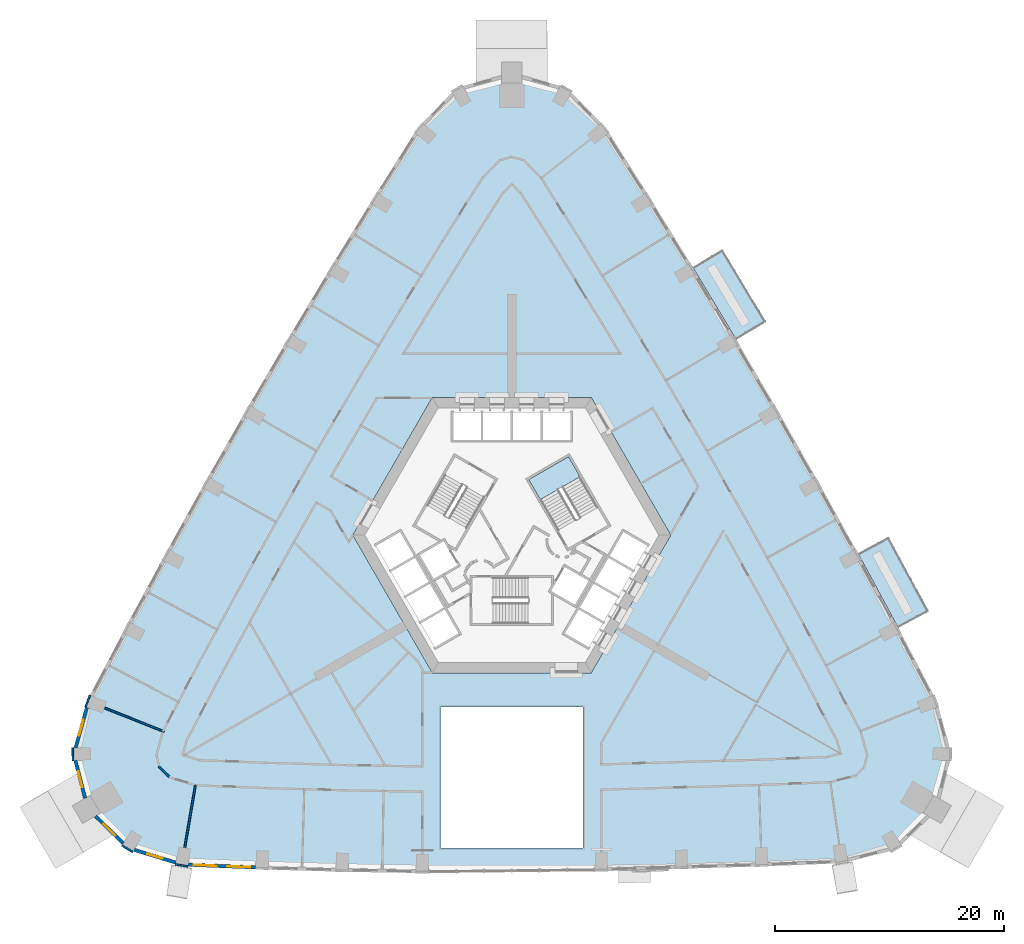
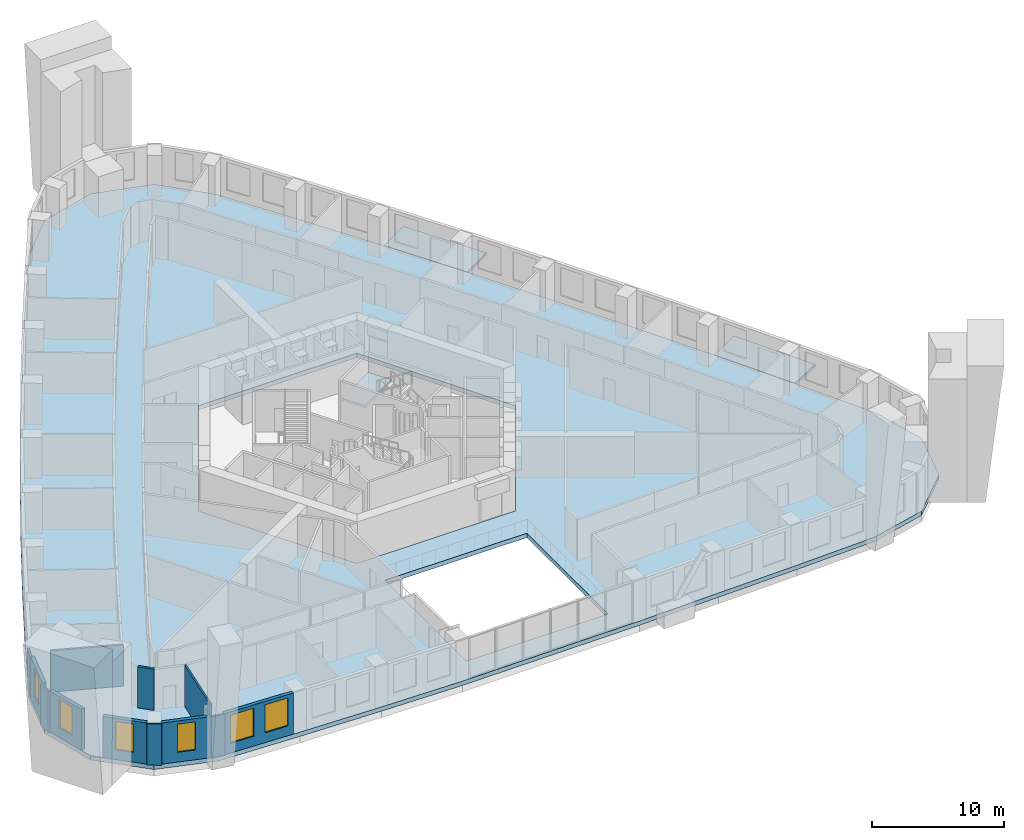
# One storey, part 3 of 15: 12 walls, 6 windows, 4 slabs, 6 openings, 1 element without a shape of its own.
"""IFC4 building model written with IfcOpenShell, lengths in metres."""

from ifc_helpers import new_model, si_unit, direction, frame, frame_2d, origin, place, context, subcontext, project, spatial, polyline, rectangle, outline, extrude, material, layer, layer_set, type_object, element, fill, aggregate, save


model = new_model("IFC4")

# Units and contexts
model_context = context("Model", 3, precision=1e-05, world=origin(), true_north=direction((0.0, 1.0)))
body_context = subcontext(model_context, "Body", "Model", "MODEL_VIEW")
ifc_project = project(units=[si_unit("LENGTHUNIT", "METRE"), si_unit("AREAUNIT", "SQUARE_METRE"), si_unit("VOLUMEUNIT", "CUBIC_METRE"), si_unit("PLANEANGLEUNIT", "RADIAN"), si_unit("MASSUNIT", "GRAM", prefix="KILO")], contexts=[model_context])

# Site, building, storey
site_placement = place(None, origin())
site = spatial("IfcSite", under=ifc_project, at=site_placement, CompositionType="ELEMENT")
building_placement = place(site_placement, origin())
building = spatial("IfcBuilding", under=site, at=building_placement, Name="Entoto Arch Interchange Tower", CompositionType="ELEMENT")
storey_placement = place(building_placement, frame((0.0, 0.0, 99.199951171875)))
storey = spatial("IfcBuildingStorey", under=building, at=storey_placement, Name="L21", CompositionType="ELEMENT", Elevation=99.199951171875)

# Slabs
ifc_material_1 = material(Name="Board-marked precast concrete C50/60", Category="concrete")
ifc_layer_1 = layer(ifc_material_1, 0.25)
ifc_layer_set_1 = layer_set([ifc_layer_1], Name="Board-marked precast concrete C50/60")
slab_type_1 = type_object("IfcSlabType", Name="BALCONY DECK PRECAST 250", PredefinedType="FLOOR", material=ifc_layer_set_1)
slab_1_placement = place(storey_placement, frame((0.0, 0.0, -0.25)))
element("IfcSlab", 1, at=slab_1_placement, inside=storey, type_object=slab_type_1, Name="Planted balcony NE-02 L21", PredefinedType="FLOOR", context=body_context, shape_type="SweptSolid", body=[
    extrude(outline(polyline([(33.653076171875, -5.52099609375), (30.22802734375, 0.81689453125), (32.822998046875, 2.218994140625), (36.248046875, -4.118896484375), (33.653076171875, -5.52099609375)])), origin(), (0.0, 0.0, 1.0), 0.25),
])
slab_2_placement = place(storey_placement, frame((0.0, 0.0, -0.25)))
element("IfcSlab", 2, at=slab_2_placement, inside=storey, type_object=slab_type_1, Name="Planted balcony NE-06 L21", PredefinedType="FLOOR", context=body_context, shape_type="SweptSolid", body=[
    extrude(outline(polyline([(19.529052734375, 19.593017578125), (15.822021484375, 25.77001953125), (18.35107421875, 27.2880859375), (22.05810546875, 21.111083984375), (19.529052734375, 19.593017578125)])), origin(), (0.0, 0.0, 1.0), 0.25),
])

# Stair, slab
ifc_material_2 = material(Name="Concrete C40/50", Category="concrete")
stair_type = type_object("IfcStairType", Name="EXIT STAIR RC 1800", PredefinedType="HALF_TURN_STAIR", material=ifc_material_2)
stair_placement = place(storey_placement, origin())
stair = element("IfcStair", 3, at=stair_placement, inside=storey, type_object=stair_type, Name="L21 Exit stair NE", PredefinedType="HALF_TURN_STAIR")
ifc_layer_2 = layer(ifc_material_2, 0.199951171875)
ifc_layer_set_2 = layer_set([ifc_layer_2], Name="Concrete C40/50")
slab_type_2 = type_object("IfcSlabType", Name="EXIT STAIR LANDING RC 200", PredefinedType="LANDING", material=ifc_layer_set_2)
slab_3_placement = place(storey_placement, frame((0.0, 0.0, 1.900146484375)))
slab_3 = element("IfcSlab", 4, at=slab_3_placement, type_object=slab_type_2, Name="ST-NE landing 1", PredefinedType="LANDING", context=body_context, shape_type="SweptSolid", body=[
    extrude(outline(polyline([(5.953369140625, 7.58837890625), (4.943359375, 9.337890625), (1.479248046875, 7.337890625), (2.4892578125, 5.58837890625), (5.953369140625, 7.58837890625)])), origin(), (0.0, 0.0, 1.0), 0.199951171875),
])
aggregate(stair, [slab_3])

# Slab
ifc_layer_3 = layer(ifc_material_2, 0.39990234375)
ifc_layer_set_3 = layer_set([ifc_layer_3], Name="Concrete C40/50")
slab_type_3 = type_object("IfcSlabType", Name="Post-tensioned flat plate 400 C40/50", PredefinedType="FLOOR", material=ifc_layer_set_3)
slab_4_placement = place(storey_placement, frame((0.0, 0.0, -0.39990234375)))
element("IfcSlab", 5, at=slab_4_placement, inside=storey, type_object=slab_type_3, Name="Floor slab L21", PredefinedType="FLOOR", context=body_context, shape_type="SweptSolid", body=[
    extrude(outline(polyline([(-28.783935546875, -26.364990234375), (-21.7890625, -26.64208984375), (-14.794921875, -26.843017578125), (-7.800048828125, -26.966064453125), (7.800048828125, -26.7939453125), (14.794921875, -26.5791015625), (21.7890625, -26.3779296875), (28.783935546875, -26.10107421875), (33.5458984375, -24.90087890625), (37.089111328125, -21.4140625), (38.337890625, -16.60205078125), (37.031982421875, -11.947998046875), (33.653076171875, -5.52099609375), (30.22802734375, 0.81689453125), (26.73291015625, 7.115966796875), (23.166015625, 13.375), (19.529052734375, 19.593017578125), (15.822021484375, 25.77001953125), (12.0458984375, 31.905029296875), (8.1689453125, 38.044921875), (4.7919921875, 41.501953125), (0.0, 42.826904296875), (-4.7919921875, 41.501953125), (-8.1689453125, 38.044921875), (-12.0458984375, 31.905029296875), (-15.822021484375, 25.77001953125), (-19.529052734375, 19.593017578125), (-23.166015625, 13.375), (-26.73291015625, 7.115966796875), (-30.22802734375, 0.81689453125), (-33.653076171875, -5.52099609375), (-37.031982421875, -11.947998046875), (-38.337890625, -16.60205078125), (-37.089111328125, -21.4140625), (-33.5458984375, -24.90087890625), (-28.783935546875, -26.364990234375)]), holes=[polyline([(6.199951171875, -24.7939453125), (6.199951171875, -12.5), (-6.199951171875, -12.5), (-6.199951171875, -24.7939453125), (6.199951171875, -24.7939453125)]), polyline([(13.85595703125, 2.5), (6.927978515625, 14.5), (-6.927978515625, 14.5), (-13.85595703125, 2.5), (-6.927978515625, -9.5), (6.927978515625, -9.5), (13.85595703125, 2.5)])]), origin(), (0.0, 0.0, 1.0), 0.39990234375),
])

# Walls
ifc_material_3 = material(Name="Gypsum board partition on steel studs", Category="steel")
ifc_layer_4 = layer(ifc_material_3, 0.14990234375)
ifc_layer_set_4 = layer_set([ifc_layer_4], Name="Gypsum board partition on steel studs")
wall_type_1 = type_object("IfcWallType", Name="PARTITION 150", PredefinedType="PARTITIONING", material=ifc_layer_set_4)
wall_1_placement = place(storey_placement, frame((-30.305908203125, -14.625, 0.0), z_axis=(0.0, 0.0, 1.0), x_axis=(-0.929128339298, 0.369757392235, 0.0)))
element("IfcWall", 6, at=wall_1_placement, inside=storey, type_object=wall_type_1, Name="wall:L21:p152", PredefinedType="PARTITIONING", context=body_context, shape_type="SweptSolid", body=[
    extrude(rectangle(XDim=5.56884765625, YDim=0.14990234375, at=frame_2d((2.784423828125, 0.0))), origin(), (0.0, 0.0, 1.0), 3.800048828125),
])
wall_2_placement = place(storey_placement, frame((-27.580078125, -19.306884765625, 0.0), z_axis=(0.0, 0.0, 1.0), x_axis=(-0.168089900424, -0.98577167, 0.0)))
element("IfcWall", 7, at=wall_2_placement, inside=storey, type_object=wall_type_1, Name="wall:L21:p153", PredefinedType="PARTITIONING", context=body_context, shape_type="SweptSolid", body=[
    extrude(rectangle(XDim=5.490234375, YDim=0.14990234375, at=frame_2d((2.7451171875, 0.0))), origin(), (0.0, 0.0, 1.0), 3.800048828125),
])
ifc_layer_5 = layer(ifc_material_3, 0.199951171875)
ifc_layer_set_5 = layer_set([ifc_layer_5], Name="Gypsum board partition on steel studs")
wall_type_2 = type_object("IfcWallType", Name="PARTITION 200", PredefinedType="PARTITIONING", material=ifc_layer_set_5)
wall_3_placement = place(storey_placement, frame((-29.873046875, -18.553955078125, 0.0), z_axis=(0.0, 0.0, 1.0), x_axis=(-0.712546188185, 0.701625206006, 0.0)))
element("IfcWall", 8, at=wall_3_placement, inside=storey, type_object=wall_type_2, Name="wall:L21:p076", PredefinedType="PARTITIONING", context=body_context, shape_type="SweptSolid", body=[
    extrude(rectangle(XDim=1.274169921875, YDim=0.199951171875, at=frame_2d((0.63720703125, 0.0))), origin(), (0.0, 0.0, 1.0), 3.800048828125),
])

# Wall, openings, windows
ifc_material_4 = material(Name="Welded tuff (ignimbrite) cladding, warm buff", Category="masonry")
ifc_layer_6 = layer(ifc_material_4, 0.300048828125)
ifc_layer_set_6 = layer_set([ifc_layer_6], Name="Welded tuff (ignimbrite) cladding, warm buff")
wall_type_3 = type_object("IfcWallType", Name="STONE INFILL WALL 300", PredefinedType="STANDARD", material=ifc_layer_set_6)
wall_4_placement = place(storey_placement, frame((-28.205078125, -26.238037109375, 0.0), z_axis=(0.0, 0.0, 1.0), x_axis=(0.99922113396, -0.039460428885, 0.0)))
wall_4 = element("IfcWall", 9, at=wall_4_placement, inside=storey, type_object=wall_type_3, Name="Facade wall S-01 L21", PredefinedType="STANDARD", context=body_context, shape_type="SweptSolid", body=[
    extrude(rectangle(XDim=5.877685546875, YDim=0.300048828125, at=frame_2d((2.93896484375, 0.0))), origin(), (0.0, 0.0, 1.0), 3.800048828125),
])
opening_1_placement = place(wall_4_placement, frame((0.468994140625, 0.0, 0.89990234375)))
opening_1 = element("IfcOpeningElement", 10, at=opening_1_placement, cuts=wall_4, Name="Opening WO-C", PredefinedType="OPENING", context=body_context, shape_type="SweptSolid", body=[
    extrude(rectangle(XDim=2.0, YDim=2.60009765625, at=frame_2d((1.0, 1.300048828125))), frame((0.0, 0.16015625, 0.0), z_axis=(0.0, -1.0, 0.0), x_axis=(1.0, 0.0, 0.0)), (0.0, 0.0, 1.0), 0.320068359375),
])
opening_2_placement = place(wall_4_placement, frame((3.407958984375, 0.0, 0.89990234375)))
opening_2 = element("IfcOpeningElement", 11, at=opening_2_placement, cuts=wall_4, Name="Opening WO-C", PredefinedType="OPENING", context=body_context, shape_type="SweptSolid", body=[
    extrude(rectangle(XDim=2.0, YDim=2.60009765625, at=frame_2d((1.0, 1.300048828125))), frame((0.0, 0.16015625, 0.0), z_axis=(0.0, -1.0, 0.0), x_axis=(1.0, 0.0, 0.0)), (0.0, 0.0, 1.0), 0.320068359375),
])
ifc_material_5 = material(Name="Clear glass, low-e double glazed", Category="glass")
window_type_1 = type_object("IfcWindowType", Name="WINDOW WO-C 2000x2600", PartitioningType="DOUBLE_PANEL_VERTICAL", PredefinedType="WINDOW", material=ifc_material_5)
window_1_placement = place(opening_1_placement, origin())
window_1 = element("IfcWindow", 12, at=window_1_placement, inside=storey, type_object=window_type_1, Name="Window WO-C S-01 L21", OverallHeight=2.60009765625, OverallWidth=2.0, PartitioningType="SINGLE_PANEL", PredefinedType="WINDOW", context=body_context, shape_type="SweptSolid", body=[
    extrude(rectangle(XDim=2.0, YDim=2.60009765625, at=frame_2d((1.0, 1.300048828125))), frame((0.0, 0.030029296875, 0.0), z_axis=(0.0, -1.0, 0.0), x_axis=(1.0, 0.0, 0.0)), (0.0, 0.0, 1.0), 0.06005859375),
])
fill(opening_1, window_1)
window_2_placement = place(opening_2_placement, origin())
window_2 = element("IfcWindow", 13, at=window_2_placement, inside=storey, type_object=window_type_1, Name="Window WO-C S-01 L21", OverallHeight=2.60009765625, OverallWidth=2.0, PartitioningType="SINGLE_PANEL", PredefinedType="WINDOW", context=body_context, shape_type="SweptSolid", body=[
    extrude(rectangle(XDim=2.0, YDim=2.60009765625, at=frame_2d((1.0, 1.300048828125))), frame((0.0, 0.030029296875, 0.0), z_axis=(0.0, -1.0, 0.0), x_axis=(1.0, 0.0, 0.0)), (0.0, 0.0, 1.0), 0.06005859375),
])
fill(opening_2, window_2)

# Wall, opening, window
wall_5_placement = place(storey_placement, frame((-37.0400390625, -12.531005859375, 0.0), z_axis=(0.0, 0.0, 1.0), x_axis=(-0.270054089595, -0.96284515302, 0.0)))
wall_5 = element("IfcWall", 14, at=wall_5_placement, inside=storey, type_object=wall_type_3, Name="Facade wall SW-01 L21", PredefinedType="STANDARD", context=body_context, shape_type="SweptSolid", body=[
    extrude(rectangle(XDim=3.650634765625, YDim=0.300048828125, at=frame_2d((1.8251953125, 0.0))), origin(), (0.0, 0.0, 1.0), 3.800048828125),
])
opening_3_placement = place(wall_5_placement, frame((1.125, 0.0, 0.89990234375)))
opening_3 = element("IfcOpeningElement", 15, at=opening_3_placement, cuts=wall_5, Name="Opening WO-B", PredefinedType="OPENING", context=body_context, shape_type="SweptSolid", body=[
    extrude(rectangle(XDim=1.39990234375, YDim=2.60009765625, at=frame_2d((0.699951171875, 1.300048828125))), frame((0.0, 0.16015625, 0.0), z_axis=(0.0, -1.0, 0.0), x_axis=(1.0, 0.0, 0.0)), (0.0, 0.0, 1.0), 0.320068359375),
])
window_type_2 = type_object("IfcWindowType", Name="WINDOW WO-B 1400x2600", PartitioningType="DOUBLE_PANEL_VERTICAL", PredefinedType="WINDOW", material=ifc_material_5)
window_3_placement = place(opening_3_placement, origin())
window_3 = element("IfcWindow", 16, at=window_3_placement, inside=storey, type_object=window_type_2, Name="Window WO-B SW-01 L21", OverallHeight=2.60009765625, OverallWidth=1.39990234375, PartitioningType="SINGLE_PANEL", PredefinedType="WINDOW", context=body_context, shape_type="SweptSolid", body=[
    extrude(rectangle(XDim=1.39990234375, YDim=2.60009765625, at=frame_2d((0.699951171875, 1.300048828125))), frame((0.0, 0.030029296875, 0.0), z_axis=(0.0, -1.0, 0.0), x_axis=(1.0, 0.0, 0.0)), (0.0, 0.0, 1.0), 0.06005859375),
])
fill(opening_3, window_3)

wall_6_placement = place(storey_placement, frame((-38.0419921875, -17.14404296875, 0.0), z_axis=(0.0, 0.0, 1.0), x_axis=(0.251046938153, -0.967974914367, 0.0)))
wall_6 = element("IfcWall", 17, at=wall_6_placement, inside=storey, type_object=wall_type_3, Name="Facade wall SW-02 L21", PredefinedType="STANDARD", context=body_context, shape_type="SweptSolid", body=[
    extrude(rectangle(XDim=3.39794921875, YDim=0.300048828125, at=frame_2d((1.698974609375, 0.0))), origin(), (0.0, 0.0, 1.0), 3.800048828125),
])
opening_4_placement = place(wall_6_placement, frame((0.9990234375, 0.0, 0.89990234375)))
opening_4 = element("IfcOpeningElement", 18, at=opening_4_placement, cuts=wall_6, Name="Opening WO-B", PredefinedType="OPENING", context=body_context, shape_type="SweptSolid", body=[
    extrude(rectangle(XDim=1.39990234375, YDim=2.60009765625, at=frame_2d((0.699951171875, 1.300048828125))), frame((0.0, 0.16015625, 0.0), z_axis=(0.0, -1.0, 0.0), x_axis=(1.0, 0.0, 0.0)), (0.0, 0.0, 1.0), 0.320068359375),
])
window_4_placement = place(opening_4_placement, origin())
window_4 = element("IfcWindow", 19, at=window_4_placement, inside=storey, type_object=window_type_2, Name="Window WO-B SW-02 L21", OverallHeight=2.60009765625, OverallWidth=1.39990234375, PartitioningType="SINGLE_PANEL", PredefinedType="WINDOW", context=body_context, shape_type="SweptSolid", body=[
    extrude(rectangle(XDim=1.39990234375, YDim=2.60009765625, at=frame_2d((0.699951171875, 1.300048828125))), frame((0.0, 0.030029296875, 0.0), z_axis=(0.0, -1.0, 0.0), x_axis=(1.0, 0.0, 0.0)), (0.0, 0.0, 1.0), 0.06005859375),
])
fill(opening_4, window_4)

wall_7_placement = place(storey_placement, frame((-36.2890625, -21.989990234375, 0.0), z_axis=(0.0, 0.0, 1.0), x_axis=(0.712546371703, -0.701625019631, 0.0)))
wall_7 = element("IfcWall", 20, at=wall_7_placement, inside=storey, type_object=wall_type_3, Name="Facade wall SW-03 L21", PredefinedType="STANDARD", context=body_context, shape_type="SweptSolid", body=[
    extrude(rectangle(XDim=3.39794921875, YDim=0.300048828125, at=frame_2d((1.698974609375, 0.0))), origin(), (0.0, 0.0, 1.0), 3.800048828125),
])
opening_5_placement = place(wall_7_placement, frame((0.9990234375, 0.0, 0.89990234375)))
opening_5 = element("IfcOpeningElement", 21, at=opening_5_placement, cuts=wall_7, Name="Opening WO-B", PredefinedType="OPENING", context=body_context, shape_type="SweptSolid", body=[
    extrude(rectangle(XDim=1.39990234375, YDim=2.60009765625, at=frame_2d((0.699951171875, 1.300048828125))), frame((0.0, 0.16015625, 0.0), z_axis=(0.0, -1.0, 0.0), x_axis=(1.0, 0.0, 0.0)), (0.0, 0.0, 1.0), 0.320068359375),
])
window_5_placement = place(opening_5_placement, origin())
window_5 = element("IfcWindow", 22, at=window_5_placement, inside=storey, type_object=window_type_2, Name="Window WO-B SW-03 L21", OverallHeight=2.60009765625, OverallWidth=1.39990234375, PartitioningType="SINGLE_PANEL", PredefinedType="WINDOW", context=body_context, shape_type="SweptSolid", body=[
    extrude(rectangle(XDim=1.39990234375, YDim=2.60009765625, at=frame_2d((0.699951171875, 1.300048828125))), frame((0.0, 0.030029296875, 0.0), z_axis=(0.0, -1.0, 0.0), x_axis=(1.0, 0.0, 0.0)), (0.0, 0.0, 1.0), 0.06005859375),
])
fill(opening_5, window_5)

wall_8_placement = place(storey_placement, frame((-32.924072265625, -24.93505859375, 0.0), z_axis=(0.0, 0.0, 1.0), x_axis=(0.955841433148, -0.293882892794, 0.0)))
wall_8 = element("IfcWall", 23, at=wall_8_placement, inside=storey, type_object=wall_type_3, Name="Facade wall SW-04 L21", PredefinedType="STANDARD", context=body_context, shape_type="SweptSolid", body=[
    extrude(rectangle(XDim=3.803955078125, YDim=0.300048828125, at=frame_2d((1.90185546875, 0.0))), origin(), (0.0, 0.0, 1.0), 3.800048828125),
])
opening_6_placement = place(wall_8_placement, frame((1.201904296875, 0.0, 0.89990234375)))
opening_6 = element("IfcOpeningElement", 24, at=opening_6_placement, cuts=wall_8, Name="Opening WO-B", PredefinedType="OPENING", context=body_context, shape_type="SweptSolid", body=[
    extrude(rectangle(XDim=1.39990234375, YDim=2.60009765625, at=frame_2d((0.699951171875, 1.300048828125))), frame((0.0, 0.16015625, 0.0), z_axis=(0.0, -1.0, 0.0), x_axis=(1.0, 0.0, 0.0)), (0.0, 0.0, 1.0), 0.320068359375),
])
window_6_placement = place(opening_6_placement, origin())
window_6 = element("IfcWindow", 25, at=window_6_placement, inside=storey, type_object=window_type_2, Name="Window WO-B SW-04 L21", OverallHeight=2.60009765625, OverallWidth=1.39990234375, PartitioningType="SINGLE_PANEL", PredefinedType="WINDOW", context=body_context, shape_type="SweptSolid", body=[
    extrude(rectangle(XDim=1.39990234375, YDim=2.60009765625, at=frame_2d((0.699951171875, 1.300048828125))), frame((0.0, 0.030029296875, 0.0), z_axis=(0.0, -1.0, 0.0), x_axis=(1.0, 0.0, 0.0)), (0.0, 0.0, 1.0), 0.06005859375),
])
fill(opening_6, window_6)

# Walls
ifc_layer_7 = layer(ifc_material_4, 0.14990234375)
ifc_layer_set_7 = layer_set([ifc_layer_7], Name="Welded tuff (ignimbrite) cladding, warm buff")
wall_type_4 = type_object("IfcWallType", Name="STONE PIER CLADDING 150", PredefinedType="STANDARD", material=ifc_layer_set_7)
wall_9_placement = place(storey_placement, frame((-36.77099609375, -11.4580078125, 0.0), z_axis=(0.0, 0.0, 1.0), x_axis=(-0.347205967468, -0.937788897436, 0.0)))
element("IfcWall", 26, at=wall_9_placement, inside=storey, type_object=wall_type_4, Name="Stone pier NW09 L21", PredefinedType="STANDARD", context=body_context, shape_type="SweptSolid", body=[
    extrude(rectangle(XDim=1.100341796875, YDim=0.14990234375, at=frame_2d((0.55029296875, 0.0))), origin(), (0.0, 0.0, 1.0), 3.800048828125),
])
wall_10_placement = place(storey_placement, frame((-29.31396484375, -26.198974609375, 0.0), z_axis=(0.0, 0.0, 1.0), x_axis=(0.985763338892, -0.168138751323, 0.0)))
element("IfcWall", 27, at=wall_10_placement, inside=storey, type_object=wall_type_4, Name="Stone pier S01 L21", PredefinedType="STANDARD", context=body_context, shape_type="SweptSolid", body=[
    extrude(rectangle(XDim=1.1005859375, YDim=0.14990234375, at=frame_2d((0.55029296875, 0.0))), origin(), (0.0, 0.0, 1.0), 3.800048828125),
])
wall_11_placement = place(storey_placement, frame((-38.27587890625, -16.050048828125, 0.0), z_axis=(0.0, 0.0, 1.0), x_axis=(0.023522901136, -0.999723298279, 0.0)))
element("IfcWall", 28, at=wall_11_placement, inside=storey, type_object=wall_type_4, Name="Stone pier SW1 L21", PredefinedType="STANDARD", context=body_context, shape_type="SweptSolid", body=[
    extrude(rectangle(XDim=1.10009765625, YDim=0.14990234375, at=frame_2d((0.550048828125, 0.0))), origin(), (0.0, 0.0, 1.0), 3.800048828125),
])
wall_12_placement = place(storey_placement, frame((-33.97705078125, -24.551025390625, 0.0), z_axis=(0.0, 0.0, 1.0), x_axis=(0.854245682901, -0.519869515594, 0.0)))
element("IfcWall", 29, at=wall_12_placement, inside=storey, type_object=wall_type_4, Name="Stone pier SW3 L21", PredefinedType="STANDARD", context=body_context, shape_type="SweptSolid", body=[
    extrude(rectangle(XDim=1.100341796875, YDim=0.14990234375, at=frame_2d((0.55029296875, 0.0))), origin(), (0.0, 0.0, 1.0), 3.800048828125),
])

save(model, "model.ifc")
